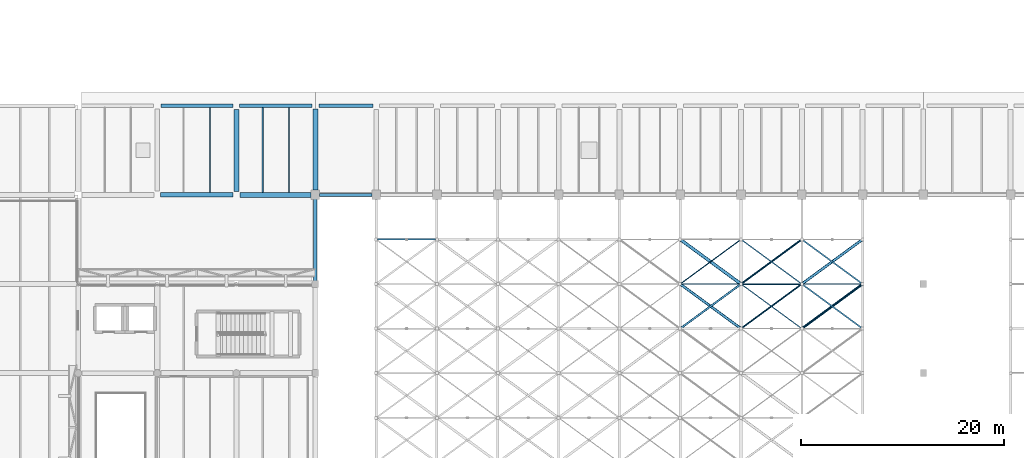
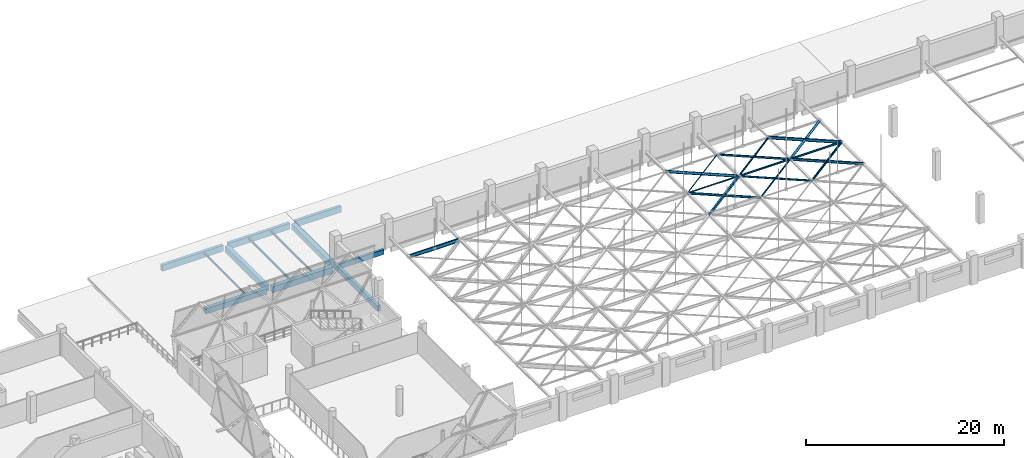
# One storey, part 48 of 93: 16 beams, 12 members.
"""IFC4 building model written with IfcOpenShell, lengths in metres."""

from ifc_helpers import new_model, si_unit, direction, frame, origin, origin_2d, place, context, subcontext, project, spatial, rectangle, hollow_rectangle, hollow_circle, i_section, extrude, material, material_profile, profile_set, type_object, element, save


model = new_model("IFC4")

# Units and contexts
model_context = context("Model", 3, precision=1e-05, world=origin(), true_north=direction((0.0, 1.0)))
body_context = subcontext(model_context, "Body", "Model", "MODEL_VIEW")
ifc_project = project(units=[si_unit("LENGTHUNIT", "METRE"), si_unit("AREAUNIT", "SQUARE_METRE"), si_unit("VOLUMEUNIT", "CUBIC_METRE"), si_unit("PLANEANGLEUNIT", "RADIAN"), si_unit("MASSUNIT", "GRAM", prefix="KILO")], contexts=[model_context])

# Site, building, storey
site_placement = place(None, origin())
site = spatial("IfcSite", under=ifc_project, at=site_placement, CompositionType="ELEMENT")
building_placement = place(site_placement, origin())
building = spatial("IfcBuilding", under=site, at=building_placement, Name="Varnakota Cinema and Media Centre", CompositionType="ELEMENT")
storey_placement = place(building_placement, frame((0.0, 0.0, 12.0)))
storey = spatial("IfcBuildingStorey", under=building, at=storey_placement, Name="L03", CompositionType="ELEMENT", Elevation=12.0)

# Beams
ifc_material_1 = material(Name="Concrete M35", Category="concrete")
ifc_material_profile_1 = material_profile(ifc_material_1, rectangle(XDim=0.449951171875, YDim=0.64990234375, at=origin_2d()), Name="RCB 450x650")
ifc_profile_set_1 = profile_set([ifc_material_profile_1], Name="Concrete M35")
beam_type_1 = type_object("IfcBeamType", Name="BM-RC-450x650", PredefinedType="BEAM", material=ifc_profile_set_1)
beam_1_placement = place(storey_placement, frame((59.72509765625, 35.199951171875, -0.5849609375), z_axis=(1.0, 0.0, 0.0), x_axis=(0.0, 1.0, 0.0)))
element("IfcBeam", 1, at=beam_1_placement, inside=storey, type_object=beam_type_1, Name="L03 girder H-J/5", PredefinedType="BEAM", context=body_context, shape_type="SweptSolid", body=[
    extrude(rectangle(XDim=0.449951171875, YDim=0.64990234375, at=origin_2d()), origin(), (0.0, 0.0, 1.0), 7.125),
])
ifc_material_2 = material(Name="Concrete M35", Category="concrete")
ifc_material_profile_2 = material_profile(ifc_material_2, rectangle(XDim=0.5, YDim=0.699951171875, at=origin_2d()), Name="RCB 500x700")
ifc_profile_set_2 = profile_set([ifc_material_profile_2], Name="Concrete M35")
beam_type_2 = type_object("IfcBeamType", Name="BM-RC-500x700", PredefinedType="BEAM", material=ifc_profile_set_2)
beam_2_placement = place(storey_placement, frame((75.0, 35.675048828125, -0.610107421875), z_axis=(0.0, 1.0, 0.0), x_axis=(-1.0, 0.0, 0.0)))
element("IfcBeam", 2, at=beam_2_placement, inside=storey, type_object=beam_type_2, Name="L03 girder K/5-6", PredefinedType="BEAM", context=body_context, shape_type="SweptSolid", body=[
    extrude(rectangle(XDim=0.5, YDim=0.699951171875, at=origin_2d()), origin(), (0.0, 0.0, 1.0), 7.974853515625),
])
ifc_material_3 = material(Name="Concrete M35", Category="concrete")
ifc_material_profile_3 = material_profile(ifc_material_3, rectangle(XDim=0.5, YDim=0.75, at=origin_2d()), Name="RCB 500x750")
ifc_profile_set_3 = profile_set([ifc_material_profile_3], Name="Concrete M35")
beam_type_3 = type_object("IfcBeamType", Name="BM-RC-500x750", PredefinedType="BEAM", material=ifc_profile_set_3)
beam_3_placement = place(storey_placement, frame((67.550048828125, 35.199951171875, -0.635009765625), z_axis=(1.0, 0.0, 0.0), x_axis=(0.0, 1.0, 0.0)))
element("IfcBeam", 3, at=beam_3_placement, inside=storey, type_object=beam_type_3, Name="L03 girder J-K/5", PredefinedType="BEAM", context=body_context, shape_type="SweptSolid", body=[
    extrude(rectangle(XDim=0.5, YDim=0.75, at=origin_2d()), origin(), (0.0, 0.0, 1.0), 7.02490234375),
])
beam_4_placement = place(storey_placement, frame((67.199951171875, 35.550048828125, -0.635009765625), z_axis=(0.0, 1.0, 0.0), x_axis=(-1.0, 0.0, 0.0)))
element("IfcBeam", 4, at=beam_4_placement, inside=storey, type_object=beam_type_3, Name="L03 girder J/5-6", PredefinedType="BEAM", context=body_context, shape_type="SweptSolid", body=[
    extrude(rectangle(XDim=0.5, YDim=0.75, at=origin_2d()), origin(), (0.0, 0.0, 1.0), 8.074951171875),
])
ifc_material_4 = material(Name="Concrete M35", Category="concrete")
ifc_material_profile_4 = material_profile(ifc_material_4, rectangle(XDim=0.300048828125, YDim=0.60009765625, at=origin_2d()), Name="RCB 300x600")
ifc_profile_set_4 = profile_set([ifc_material_profile_4], Name="Concrete M35")
beam_type_4 = type_object("IfcBeamType", Name="BM-SP-300x600", PredefinedType="SPANDREL", material=ifc_profile_set_4)
beam_5_placement = place(storey_placement, frame((75.425048828125, 35.199951171875, -0.56005859375), z_axis=(1.0, 0.0, 0.0), x_axis=(0.0, 1.0, 0.0)))
element("IfcBeam", 5, at=beam_5_placement, inside=storey, type_object=beam_type_4, Name="L03 girder K-L/5", PredefinedType="SPANDREL", context=body_context, shape_type="SweptSolid", body=[
    extrude(rectangle(XDim=0.300048828125, YDim=0.60009765625, at=origin_2d()), origin(), (0.0, 0.0, 1.0), 5.14990234375),
])
ifc_material_5 = material(Name="Concrete M40", Category="concrete")
ifc_material_profile_5 = material_profile(ifc_material_5, rectangle(XDim=0.35009765625, YDim=0.64990234375, at=origin_2d()), Name="RCB 350x650")
ifc_profile_set_5 = profile_set([ifc_material_profile_5], Name="Concrete M40")
beam_type_5 = type_object("IfcBeamType", Name="BM-SP-350x650", PredefinedType="SPANDREL", material=ifc_profile_set_5)
beam_6_placement = place(storey_placement, frame((75.0, 26.39990234375, -0.344970703125), z_axis=(0.0, 1.0, 0.0), x_axis=(-1.0, 0.0, 0.0)))
element("IfcBeam", 6, at=beam_6_placement, inside=storey, type_object=beam_type_5, Name="L03 hall west spandrel beam", PredefinedType="SPANDREL", context=body_context, shape_type="SweptSolid", body=[
    extrude(rectangle(XDim=0.35009765625, YDim=0.64990234375, at=origin_2d()), origin(), (0.0, 0.0, 1.0), 8.800048828125),
])
ifc_material_6 = material(Name="Concrete M40", Category="concrete")
ifc_material_profile_6 = material_profile(ifc_material_6, rectangle(XDim=0.35009765625, YDim=0.75, at=origin_2d()), Name="RCB 350x750")
ifc_profile_set_6 = profile_set([ifc_material_profile_6], Name="Concrete M40")
beam_type_6 = type_object("IfcBeamType", Name="BM-SP-350x750", PredefinedType="SPANDREL", material=ifc_profile_set_6)
for number, where, z_axis, x_axis, name in (
    (7, (59.75, 44.0, -0.635009765625), (1.0, 0.0, 0.0), (0.0, 1.0, 0.0), "L03 girder H-J/6"),
    (8, (67.52490234375, 44.0, -0.635009765625), (1.0, 0.0, 0.0), (0.0, 1.0, 0.0), "L03 girder J-K/6"),
):
    element("IfcBeam", number, at=place(storey_placement, frame(where, z_axis=z_axis, x_axis=x_axis)), inside=storey, type_object=beam_type_6, Name=name, PredefinedType="SPANDREL", context=body_context, shape_type="SweptSolid", body=[
        extrude(rectangle(XDim=0.35009765625, YDim=0.75, at=origin_2d()), origin(), (0.0, 0.0, 1.0), 7.125),
    ])
beam_7_placement = place(storey_placement, frame((75.35009765625, 44.0, -0.635009765625), z_axis=(1.0, 0.0, 0.0), x_axis=(0.0, 1.0, 0.0)))
element("IfcBeam", 9, at=beam_7_placement, inside=storey, type_object=beam_type_6, Name="L03 girder K-L/6", PredefinedType="SPANDREL", context=body_context, shape_type="SweptSolid", body=[
    extrude(rectangle(XDim=0.35009765625, YDim=0.75, at=origin_2d()), origin(), (0.0, 0.0, 1.0), 5.324951171875),
])
ifc_material_7 = material(Name="Structural steel Grade 350 (E350)", Category="steel")
ifc_material_profile_7 = material_profile(ifc_material_7, i_section(OverallWidth=0.074951171875, OverallDepth=0.14990234375, WebThickness=0.0048828125, FlangeThickness=0.008056640625, FilletRadius=0.009033203125, at=origin_2d()), Name="ISMB 150")
ifc_profile_set_7 = profile_set([ifc_material_profile_7], Name="Structural steel Grade 350 (E350)")
beam_type_7 = type_object("IfcBeamType", Name="BM-ST-ISMB150", PredefinedType="JOIST", material=ifc_profile_set_7)
beam_8_placement = place(storey_placement, frame((111.139892578125, 26.39990234375, 1.300048828125), z_axis=(1.0, 0.0, 0.0), x_axis=(0.0, 1.0, 0.0)))
element("IfcBeam", 10, at=beam_8_placement, inside=storey, type_object=beam_type_7, Name="V1 rigging beam 7.6", PredefinedType="JOIST", context=body_context, shape_type="SweptSolid", body=[
    extrude(i_section(OverallWidth=0.074951171875, OverallDepth=0.14990234375, WebThickness=0.0048828125, FlangeThickness=0.008056640625, FilletRadius=0.009033203125, at=origin_2d()), origin(), (0.0, 0.0, 1.0), 5.72021484375),
])
ifc_material_8 = material(Name="Structural steel Grade 350 (E350)", Category="steel")
ifc_material_profile_8 = material_profile(ifc_material_8, i_section(OverallWidth=0.10009765625, OverallDepth=0.199951171875, WebThickness=0.005615234375, FlangeThickness=0.0107421875, FilletRadius=0.010986328125, at=origin_2d()), Name="ISMB 200")
ifc_profile_set_8 = profile_set([ifc_material_profile_8], Name="Structural steel Grade 350 (E350)")
beam_type_8 = type_object("IfcBeamType", Name="BM-ST-ISMB200", PredefinedType="JOIST", material=ifc_profile_set_8)
beam_9_placement = place(storey_placement, frame((117.139892578125, 26.39990234375, 1.300048828125), z_axis=(1.0, 0.0, 0.0), x_axis=(0.0, 1.0, 0.0)))
element("IfcBeam", 11, at=beam_9_placement, inside=storey, type_object=beam_type_8, Name="V1 rigging beam 8.6", PredefinedType="JOIST", context=body_context, shape_type="SweptSolid", body=[
    extrude(i_section(OverallWidth=0.10009765625, OverallDepth=0.199951171875, WebThickness=0.005615234375, FlangeThickness=0.0107421875, FilletRadius=0.010986328125, at=origin_2d()), origin(), (0.0, 0.0, 1.0), 5.72021484375),
])
ifc_material_9 = material(Name="Structural steel Grade 350 (E350)", Category="steel")
ifc_material_profile_9 = material_profile(ifc_material_9, i_section(OverallWidth=0.110107421875, OverallDepth=0.22509765625, WebThickness=0.006591796875, FlangeThickness=0.01171875, FilletRadius=0.011962890625, at=origin_2d()), Name="ISMB 225")
ifc_profile_set_9 = profile_set([ifc_material_profile_9], Name="Structural steel Grade 350 (E350)")
beam_type_9 = type_object("IfcBeamType", Name="BM-ST-ISMB225", PredefinedType="JOIST", material=ifc_profile_set_9)
beam_10_placement = place(storey_placement, frame((64.60009765625, 35.425048828125, -0.37255859375), z_axis=(0.0, 1.0, 0.0), x_axis=(-1.0, 0.0, 0.0)))
element("IfcBeam", 12, at=beam_10_placement, inside=storey, type_object=beam_type_9, Name="L03 steel joist H-J/5-6 #2", PredefinedType="JOIST", context=body_context, shape_type="SweptSolid", body=[
    extrude(i_section(OverallWidth=0.110107421875, OverallDepth=0.22509765625, WebThickness=0.006591796875, FlangeThickness=0.01171875, FilletRadius=0.011962890625, at=origin_2d()), origin(), (0.0, 0.0, 1.0), 8.39990234375),
])
beam_11_placement = place(storey_placement, frame((123.139892578125, 26.39990234375, 1.300048828125), z_axis=(1.0, 0.0, 0.0), x_axis=(0.0, 1.0, 0.0)))
element("IfcBeam", 13, at=beam_11_placement, inside=storey, type_object=beam_type_9, Name="V1 rigging beam 9.6", PredefinedType="JOIST", context=body_context, shape_type="SweptSolid", body=[
    extrude(i_section(OverallWidth=0.110107421875, OverallDepth=0.22509765625, WebThickness=0.006591796875, FlangeThickness=0.01171875, FilletRadius=0.011962890625, at=origin_2d()), origin(), (0.0, 0.0, 1.0), 5.72021484375),
])
ifc_material_10 = material(Name="Structural steel Grade 350 (E350)", Category="steel")
ifc_material_profile_10 = material_profile(ifc_material_10, i_section(OverallWidth=0.125, OverallDepth=0.25, WebThickness=0.0068359375, FlangeThickness=0.012451171875, FilletRadius=0.012939453125, at=origin_2d()), Name="ISMB 250")
ifc_profile_set_10 = profile_set([ifc_material_profile_10], Name="Structural steel Grade 350 (E350)")
beam_type_10 = type_object("IfcBeamType", Name="BM-ST-ISMB250", PredefinedType="JOIST", material=ifc_profile_set_10)
for number, where, z_axis, x_axis, name in (
    (14, (69.800048828125, 35.449951171875, -0.385009765625), (0.0, 1.0, 0.0), (-1.0, 0.0, 0.0), "L03 steel joist J-K/5-6 #1"),
    (15, (72.39990234375, 35.449951171875, -0.385009765625), (0.0, 1.0, 0.0), (-1.0, 0.0, 0.0), "L03 steel joist J-K/5-6 #2"),
):
    element("IfcBeam", number, at=place(storey_placement, frame(where, z_axis=z_axis, x_axis=x_axis)), inside=storey, type_object=beam_type_10, Name=name, PredefinedType="JOIST", context=body_context, shape_type="SweptSolid", body=[
        extrude(i_section(OverallWidth=0.125, OverallDepth=0.25, WebThickness=0.0068359375, FlangeThickness=0.012451171875, FilletRadius=0.012939453125, at=origin_2d()), origin(), (0.0, 0.0, 1.0), 8.375),
    ])
ifc_material_11 = material(Name="Structural steel Grade 350 (E350)", Category="steel")
ifc_material_profile_11 = material_profile(ifc_material_11, i_section(OverallWidth=0.14990234375, OverallDepth=0.449951171875, WebThickness=0.009521484375, FlangeThickness=0.017333984375, FilletRadius=0.014892578125, at=origin_2d()), Name="ISMB 450")
ifc_profile_set_11 = profile_set([ifc_material_profile_11], Name="Structural steel Grade 350 (E350)")
beam_type_11 = type_object("IfcBeamType", Name="BM-ST-ISMB450", PredefinedType="BEAM", material=ifc_profile_set_11)
beam_12_placement = place(storey_placement, frame((81.139892578125, 30.800048828125, 1.300048828125), z_axis=(1.0, 0.0, 0.0), x_axis=(0.0, 1.0, 0.0)))
element("IfcBeam", 16, at=beam_12_placement, inside=storey, type_object=beam_type_11, Name="V1 rigging beam 2.7", PredefinedType="BEAM", context=body_context, shape_type="SweptSolid", body=[
    extrude(i_section(OverallWidth=0.14990234375, OverallDepth=0.449951171875, WebThickness=0.009521484375, FlangeThickness=0.017333984375, FilletRadius=0.014892578125, at=origin_2d()), origin(), (0.0, 0.0, 1.0), 5.72021484375),
])

# Members
ifc_material_12 = material(Name="Structural steel S355 (YSt 355)", Category="steel")
ifc_material_profile_12 = material_profile(ifc_material_12, hollow_circle(Radius=0.05712890625, WallThickness=0.00537109375, at=origin_2d()), Name="CHS 114.3x5.4")
ifc_profile_set_12 = profile_set([ifc_material_profile_12], Name="Structural steel S355 (YSt 355)")
member_type_1 = type_object("IfcMemberType", Name="MEM-ST-CHS114_3x5_4", PredefinedType="BRACE", material=ifc_profile_set_12)
member_1_placement = place(storey_placement, frame((111.0, 26.39990234375, 1.300048828125), z_axis=(0.806395607258, 0.591376466048, 0.0), x_axis=(-0.591376466048, 0.806395607258, 0.0)))
element("IfcMember", 17, at=member_1_placement, inside=storey, type_object=member_type_1, Name="V1 rigging plan member A 7.6", PredefinedType="BRACE", context=body_context, shape_type="SweptSolid", body=[
    extrude(hollow_circle(Radius=0.05712890625, WallThickness=0.00537109375, at=origin_2d()), origin(), (0.0, 0.0, 1.0), 7.4404296875),
])
ifc_material_13 = material(Name="Structural steel S355 (YSt 355)", Category="steel")
ifc_material_profile_13 = material_profile(ifc_material_13, hollow_circle(Radius=0.084228515625, WallThickness=0.00634765625, at=origin_2d()), Name="CHS 168.3x6.3")
ifc_profile_set_13 = profile_set([ifc_material_profile_13], Name="Structural steel S355 (YSt 355)")
member_type_2 = type_object("IfcMemberType", Name="MEM-ST-CHS168_3x6_3", PredefinedType="BRACE", material=ifc_profile_set_13)
member_2_placement = place(storey_placement, frame((117.0, 22.0, 1.300048828125), z_axis=(0.80641125493, 0.591355128432, 0.0), x_axis=(-0.591355128432, 0.80641125493, 0.0)))
element("IfcMember", 18, at=member_2_placement, inside=storey, type_object=member_type_2, Name="V1 rigging plan member A 8.5", PredefinedType="BRACE", context=body_context, shape_type="SweptSolid", body=[
    extrude(hollow_circle(Radius=0.084228515625, WallThickness=0.00634765625, at=origin_2d()), origin(), (0.0, 0.0, 1.0), 7.4404296875),
])
ifc_material_14 = material(Name="Structural steel S355 (YSt 355)", Category="steel")
ifc_material_profile_14 = material_profile(ifc_material_14, hollow_circle(Radius=0.096923828125, WallThickness=0.00634765625, at=origin_2d()), Name="CHS 193.7x6.3")
ifc_profile_set_14 = profile_set([ifc_material_profile_14], Name="Structural steel S355 (YSt 355)")
member_type_3 = type_object("IfcMemberType", Name="MEM-ST-CHS193_7x6_3", PredefinedType="CHORD", material=ifc_profile_set_14)
member_3_placement = place(storey_placement, frame((117.0, 26.39990234375, 1.300048828125), z_axis=(0.806395607258, 0.591376466048, 0.0), x_axis=(-0.591376466048, 0.806395607258, 0.0)))
element("IfcMember", 19, at=member_3_placement, inside=storey, type_object=member_type_3, Name="V1 rigging plan member A 8.6", PredefinedType="CHORD", context=body_context, shape_type="SweptSolid", body=[
    extrude(hollow_circle(Radius=0.096923828125, WallThickness=0.00634765625, at=origin_2d()), origin(), (0.0, 0.0, 1.0), 7.4404296875),
])
ifc_material_15 = material(Name="Structural steel S355 (YSt 355)", Category="steel")
ifc_material_profile_15 = material_profile(ifc_material_15, hollow_circle(Radius=0.122314453125, WallThickness=0.008056640625, at=origin_2d()), Name="CHS 244.5x8.0")
ifc_profile_set_15 = profile_set([ifc_material_profile_15], Name="Structural steel S355 (YSt 355)")
member_type_4 = type_object("IfcMemberType", Name="MEM-ST-CHS244_5x8_0", PredefinedType="CHORD", material=ifc_profile_set_15)
member_4_placement = place(storey_placement, frame((123.0, 22.0, 1.300048828125), z_axis=(0.80641125493, 0.591355128432, 0.0), x_axis=(-0.591355128432, 0.80641125493, 0.0)))
element("IfcMember", 20, at=member_4_placement, inside=storey, type_object=member_type_4, Name="V1 rigging plan member A 9.5", PredefinedType="CHORD", context=body_context, shape_type="SweptSolid", body=[
    extrude(hollow_circle(Radius=0.122314453125, WallThickness=0.008056640625, at=origin_2d()), origin(), (0.0, 0.0, 1.0), 7.4404296875),
])
ifc_material_16 = material(Name="Structural steel S355 (YSt 355)", Category="steel")
ifc_material_profile_16 = material_profile(ifc_material_16, hollow_circle(Radius=0.136474609375, WallThickness=0.010009765625, at=origin_2d()), Name="CHS 273.0x10.0")
ifc_profile_set_16 = profile_set([ifc_material_profile_16], Name="Structural steel S355 (YSt 355)")
member_type_5 = type_object("IfcMemberType", Name="MEM-ST-CHS273_0x10_0", PredefinedType="BRACE", material=ifc_profile_set_16)
for number, where, z_axis, x_axis, name in (
    (21, (117.0, 22.0, 1.300048828125), (-0.80641125493, 0.591355128432, 0.0), (-0.591355128432, -0.80641125493, 0.0), "V1 rigging plan member B 7.5"),
    (22, (123.0, 26.39990234375, 1.300048828125), (0.806395607258, 0.591376466048, 0.0), (-0.591376466048, 0.806395607258, 0.0), "V1 rigging plan member A 9.6"),
):
    element("IfcMember", number, at=place(storey_placement, frame(where, z_axis=z_axis, x_axis=x_axis)), inside=storey, type_object=member_type_5, Name=name, PredefinedType="BRACE", context=body_context, shape_type="SweptSolid", body=[
        extrude(hollow_circle(Radius=0.136474609375, WallThickness=0.010009765625, at=origin_2d()), origin(), (0.0, 0.0, 1.0), 7.4404296875),
    ])
ifc_material_17 = material(Name="Structural steel S355 (YSt 355)", Category="steel")
ifc_material_profile_17 = material_profile(ifc_material_17, hollow_circle(Radius=0.161865234375, WallThickness=0.010009765625, at=origin_2d()), Name="CHS 323.9x10.0")
ifc_profile_set_17 = profile_set([ifc_material_profile_17], Name="Structural steel S355 (YSt 355)")
member_type_6 = type_object("IfcMemberType", Name="MEM-ST-CHS323_9x10_0", PredefinedType="CHORD", material=ifc_profile_set_17)
member_5_placement = place(storey_placement, frame((117.0, 26.39990234375, 1.300048828125), z_axis=(-0.806395607258, 0.591376466048, 0.0), x_axis=(-0.591376466048, -0.806395607258, 0.0)))
element("IfcMember", 23, at=member_5_placement, inside=storey, type_object=member_type_6, Name="V1 rigging plan member B 7.6", PredefinedType="CHORD", context=body_context, shape_type="SweptSolid", body=[
    extrude(hollow_circle(Radius=0.161865234375, WallThickness=0.010009765625, at=origin_2d()), origin(), (0.0, 0.0, 1.0), 7.4404296875),
])
ifc_material_18 = material(Name="Structural steel Grade 350 (E350)", Category="steel")
ifc_material_profile_18 = material_profile(ifc_material_18, i_section(OverallWidth=0.10009765625, OverallDepth=0.199951171875, WebThickness=0.005615234375, FlangeThickness=0.0107421875, FilletRadius=0.010986328125, at=origin_2d()), Name="ISMB 200")
ifc_profile_set_18 = profile_set([ifc_material_profile_18], Name="Structural steel Grade 350 (E350)")
member_type_7 = type_object("IfcMemberType", Name="MEM-ST-ISMB200", PredefinedType="RAFTER", material=ifc_profile_set_18)
member_6_placement = place(storey_placement, frame((123.0, 22.0, 1.300048828125), z_axis=(-0.80641125493, 0.591355128432, 0.0), x_axis=(-0.591355128432, -0.80641125493, 0.0)))
element("IfcMember", 24, at=member_6_placement, inside=storey, type_object=member_type_7, Name="V1 rigging plan member B 8.5", PredefinedType="RAFTER", context=body_context, shape_type="SweptSolid", body=[
    extrude(i_section(OverallWidth=0.10009765625, OverallDepth=0.199951171875, WebThickness=0.005615234375, FlangeThickness=0.0107421875, FilletRadius=0.010986328125, at=origin_2d()), origin(), (0.0, 0.0, 1.0), 7.4404296875),
])
ifc_material_19 = material(Name="Structural steel Grade 350 (E350)", Category="steel")
ifc_material_profile_19 = material_profile(ifc_material_19, i_section(OverallWidth=0.110107421875, OverallDepth=0.22509765625, WebThickness=0.006591796875, FlangeThickness=0.01171875, FilletRadius=0.011962890625, at=origin_2d()), Name="ISMB 225")
ifc_profile_set_19 = profile_set([ifc_material_profile_19], Name="Structural steel Grade 350 (E350)")
member_type_8 = type_object("IfcMemberType", Name="MEM-ST-ISMB225", PredefinedType="RAFTER", material=ifc_profile_set_19)
member_7_placement = place(storey_placement, frame((123.0, 26.39990234375, 1.300048828125), z_axis=(-0.806395607258, 0.591376466048, 0.0), x_axis=(-0.591376466048, -0.806395607258, 0.0)))
element("IfcMember", 25, at=member_7_placement, inside=storey, type_object=member_type_8, Name="V1 rigging plan member B 8.6", PredefinedType="RAFTER", context=body_context, shape_type="SweptSolid", body=[
    extrude(i_section(OverallWidth=0.110107421875, OverallDepth=0.22509765625, WebThickness=0.006591796875, FlangeThickness=0.01171875, FilletRadius=0.011962890625, at=origin_2d()), origin(), (0.0, 0.0, 1.0), 7.4404296875),
])
ifc_material_20 = material(Name="Structural steel Grade 350 (E350)", Category="steel")
ifc_material_profile_20 = material_profile(ifc_material_20, i_section(OverallWidth=0.139892578125, OverallDepth=0.300048828125, WebThickness=0.0078125, FlangeThickness=0.01318359375, FilletRadius=0.013916015625, at=origin_2d()), Name="ISMB 300")
ifc_profile_set_20 = profile_set([ifc_material_profile_20], Name="Structural steel Grade 350 (E350)")
member_type_9 = type_object("IfcMemberType", Name="MEM-ST-ISMB300", PredefinedType="RAFTER", material=ifc_profile_set_20)
member_8_placement = place(storey_placement, frame((129.0, 22.0, 1.300048828125), z_axis=(-0.80641125493, 0.591355128432, 0.0), x_axis=(-0.591355128432, -0.80641125493, 0.0)))
element("IfcMember", 26, at=member_8_placement, inside=storey, type_object=member_type_9, Name="V1 rigging plan member B 9.5", PredefinedType="RAFTER", context=body_context, shape_type="SweptSolid", body=[
    extrude(i_section(OverallWidth=0.139892578125, OverallDepth=0.300048828125, WebThickness=0.0078125, FlangeThickness=0.01318359375, FilletRadius=0.013916015625, at=origin_2d()), origin(), (0.0, 0.0, 1.0), 7.4404296875),
])
ifc_material_21 = material(Name="Structural steel Grade 350 (E350)", Category="steel")
ifc_material_profile_21 = material_profile(ifc_material_21, i_section(OverallWidth=0.139892578125, OverallDepth=0.35009765625, WebThickness=0.008056640625, FlangeThickness=0.01416015625, FilletRadius=0.013916015625, at=origin_2d()), Name="ISMB 350")
ifc_profile_set_21 = profile_set([ifc_material_profile_21], Name="Structural steel Grade 350 (E350)")
member_type_10 = type_object("IfcMemberType", Name="MEM-ST-ISMB350", PredefinedType="RAFTER", material=ifc_profile_set_21)
member_9_placement = place(storey_placement, frame((129.0, 26.39990234375, 1.300048828125), z_axis=(-0.806395607258, 0.591376466048, 0.0), x_axis=(-0.591376466048, -0.806395607258, 0.0)))
element("IfcMember", 27, at=member_9_placement, inside=storey, type_object=member_type_10, Name="V1 rigging plan member B 9.6", PredefinedType="RAFTER", context=body_context, shape_type="SweptSolid", body=[
    extrude(i_section(OverallWidth=0.139892578125, OverallDepth=0.35009765625, WebThickness=0.008056640625, FlangeThickness=0.01416015625, FilletRadius=0.013916015625, at=origin_2d()), origin(), (0.0, 0.0, 1.0), 7.4404296875),
])
ifc_material_22 = material(Name="Structural steel S355 (YSt 355)", Category="steel")
ifc_material_profile_22 = material_profile(ifc_material_22, hollow_rectangle(XDim=0.199951171875, YDim=0.300048828125, WallThickness=0.010009765625, InnerFilletRadius=0.010009765625, OuterFilletRadius=0.02001953125, at=origin_2d()), Name="RHS 300x200x10")
ifc_profile_set_22 = profile_set([ifc_material_profile_22], Name="Structural steel S355 (YSt 355)")
member_type_11 = type_object("IfcMemberType", Name="MEM-ST-RHS300x200x10", PredefinedType="PURLIN", material=ifc_profile_set_22)
member_10_placement = place(storey_placement, frame((111.0, 22.0, 1.300048828125), z_axis=(0.80641125493, 0.591355128432, 0.0), x_axis=(-0.591355128432, 0.80641125493, 0.0)))
element("IfcMember", 28, at=member_10_placement, inside=storey, type_object=member_type_11, Name="V1 rigging plan member A 7.5", PredefinedType="PURLIN", context=body_context, shape_type="SweptSolid", body=[
    extrude(hollow_rectangle(XDim=0.199951171875, YDim=0.300048828125, WallThickness=0.010009765625, InnerFilletRadius=0.010009765625, OuterFilletRadius=0.02001953125, at=origin_2d()), origin(), (0.0, 0.0, 1.0), 7.4404296875),
])

save(model, "model.ifc")
